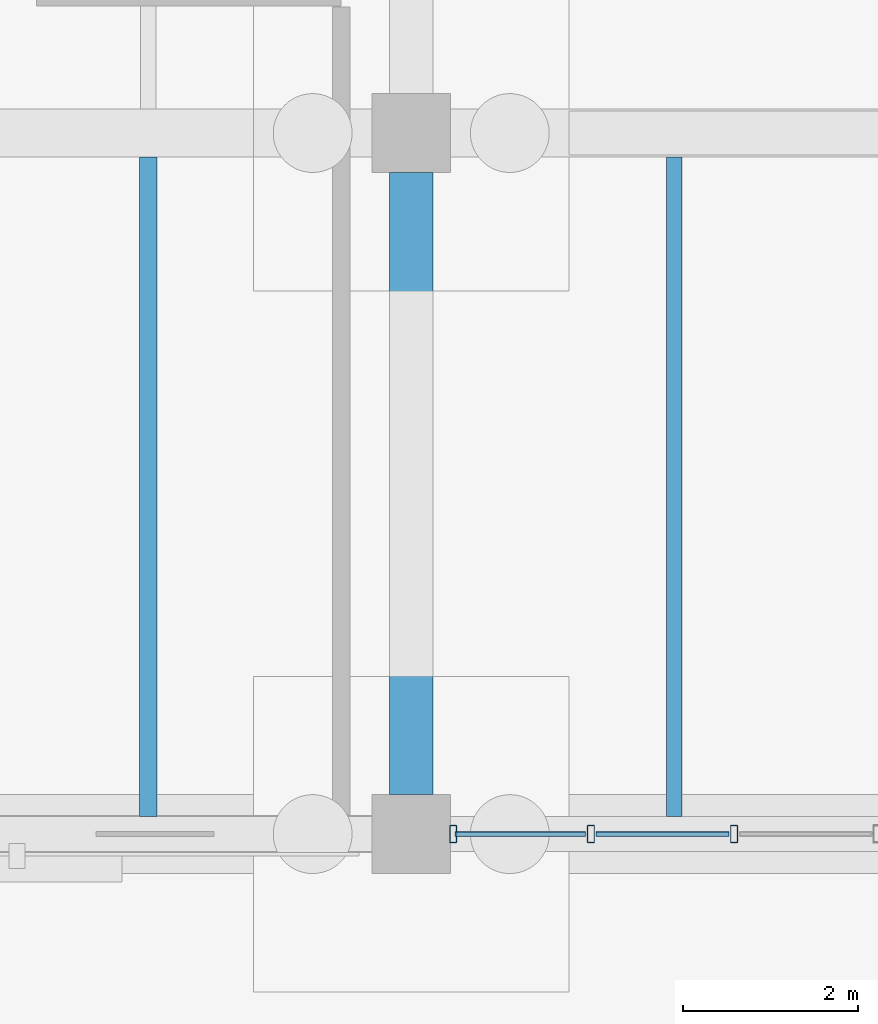
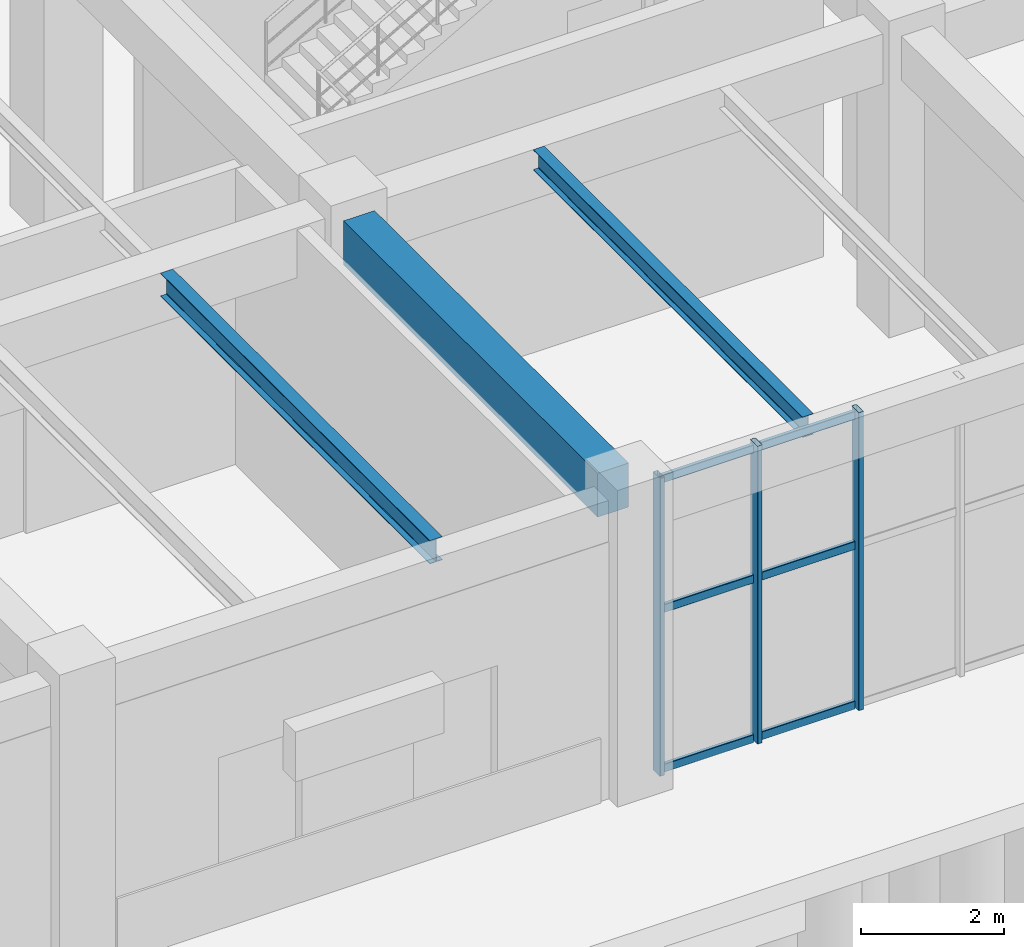
# One storey, part 56 of 121: 9 members, 3 beams, 1 element without a shape of its own.
"""IFC4 building model written with IfcOpenShell, lengths in metres."""

from ifc_helpers import new_model, si_unit, derived_unit, direction, frame, origin, origin_2d, place, context, subcontext, project, spatial, rectangle, hollow_rectangle, i_section, extrude, material, material_profile, profile_set, type_object, element, aggregate, save


model = new_model("IFC4")

# Units and contexts
model_context = context("Model", 3, precision=1e-05, world=origin(), true_north=direction((0.0, 1.0)))
body_context = subcontext(model_context, "Body", "Model", "MODEL_VIEW")
ifc_project = project(units=[si_unit("LENGTHUNIT", "METRE"), si_unit("AREAUNIT", "SQUARE_METRE"), si_unit("VOLUMEUNIT", "CUBIC_METRE"), si_unit("PLANEANGLEUNIT", "RADIAN"), si_unit("MASSUNIT", "GRAM", prefix="KILO"), derived_unit("THERMALTRANSMITTANCEUNIT", [(si_unit("MASSUNIT", "GRAM", prefix="KILO"), 1), (si_unit("TIMEUNIT", "SECOND"), -3), (si_unit("THERMODYNAMICTEMPERATUREUNIT", "KELVIN"), -1)])], contexts=[model_context])

# Site, building, storey
site_placement = place(None, origin())
site = spatial("IfcSite", under=ifc_project, at=site_placement, CompositionType="ELEMENT")
building_placement = place(site_placement, origin())
building = spatial("IfcBuilding", under=site, at=building_placement, Name="Zhenchuan Archway Interchange", CompositionType="ELEMENT")
storey_placement = place(building_placement, origin())
storey = spatial("IfcBuildingStorey", under=building, at=storey_placement, Name="L00", CompositionType="ELEMENT", Elevation=0.0)

# Beam
ifc_material_1 = material(Name="Concrete C40", Category="concrete")
ifc_material_profile_1 = material_profile(ifc_material_1, rectangle(XDim=0.5, YDim=0.75, at=origin_2d()), Name="RC 500x750")
ifc_profile_set_1 = profile_set([ifc_material_profile_1], Name="Concrete C40")
beam_type_1 = type_object("IfcBeamType", Name="BM_RC_500x750", PredefinedType="BEAM", material=ifc_profile_set_1)
beam_1_placement = place(storey_placement, frame((153.0, 8.449951171875, 4.705078125), z_axis=(0.0, 1.0, 0.0), x_axis=(-1.0, 0.0, 0.0)))
element("IfcBeam", 1, at=beam_1_placement, inside=storey, type_object=beam_type_1, Name="Beam 18:B-C (L00)", PredefinedType="BEAM", context=body_context, shape_type="SweptSolid", body=[
    extrude(rectangle(XDim=0.5, YDim=0.75, at=origin_2d()), origin(), (0.0, 0.0, 1.0), 7.10009765625),
])

# Curtain wall, members
ifc_material_2 = material(Name="Anodised Aluminium", Category="aluminium")
curtain_wall_type = type_object("IfcCurtainWallType", Name="CW_UNIT_1", PredefinedType="NOTDEFINED", material=ifc_material_2)
curtain_wall_placement = place(storey_placement, origin())
curtain_wall = element("IfcCurtainWall", 2, at=curtain_wall_placement, inside=storey, type_object=curtain_wall_type, Name="Unitised curtain wall CW:L00:016", PredefinedType="NOTDEFINED")
ifc_material_profile_2 = material_profile(ifc_material_2, hollow_rectangle(XDim=0.080078125, YDim=0.199951171875, WallThickness=0.00439453125, InnerFilletRadius=0.00439453125, OuterFilletRadius=0.009033203125, at=origin_2d()), Name="ALU 200x80x4.5")
ifc_profile_set_2 = profile_set([ifc_material_profile_2], Name="Anodised Aluminium")
member_type_1 = type_object("IfcMemberType", Name="CW_MUL_200", PredefinedType="MULLION", material=ifc_profile_set_2)
member_1_placement = place(storey_placement, frame((156.68359375, 8.0, 0.0), z_axis=(0.0, 0.0, 1.0), x_axis=(1.0, 0.0, 0.0)))
member_1 = element("IfcMember", 3, at=member_1_placement, type_object=member_type_1, Name="CW:L00:016 mullion 3", PredefinedType="MULLION", context=body_context, shape_type="SweptSolid", body=[
    extrude(hollow_rectangle(XDim=0.080078125, YDim=0.199951171875, WallThickness=0.00439453125, InnerFilletRadius=0.00439453125, OuterFilletRadius=0.009033203125, at=origin_2d()), origin(), (0.0, 0.0, 1.0), 5.080078125),
])
member_2_placement = place(storey_placement, frame((155.05078125, 8.0, 0.0), z_axis=(0.0, 0.0, 1.0), x_axis=(1.0, 0.0, 0.0)))
member_2 = element("IfcMember", 4, at=member_2_placement, type_object=member_type_1, Name="CW:L00:016 mullion 4", PredefinedType="MULLION", context=body_context, shape_type="SweptSolid", body=[
    extrude(hollow_rectangle(XDim=0.080078125, YDim=0.199951171875, WallThickness=0.00439453125, InnerFilletRadius=0.00439453125, OuterFilletRadius=0.009033203125, at=origin_2d()), origin(), (0.0, 0.0, 1.0), 5.080078125),
])
member_3_placement = place(storey_placement, frame((153.47802734375, 8.0, 0.0), z_axis=(0.0, 0.0, 1.0), x_axis=(1.0, 0.0, 0.0)))
member_3 = element("IfcMember", 5, at=member_3_placement, type_object=member_type_1, Name="CW:L00:016 mullion 5", PredefinedType="MULLION", context=body_context, shape_type="SweptSolid", body=[
    extrude(hollow_rectangle(XDim=0.080078125, YDim=0.199951171875, WallThickness=0.00439453125, InnerFilletRadius=0.00439453125, OuterFilletRadius=0.009033203125, at=origin_2d()), origin(), (0.0, 0.0, 1.0), 5.080078125),
])
ifc_material_profile_3 = material_profile(ifc_material_2, hollow_rectangle(XDim=0.06005859375, YDim=0.139892578125, WallThickness=0.00341796875, InnerFilletRadius=0.00341796875, OuterFilletRadius=0.007080078125, at=origin_2d()), Name="ALU 140x60x3.5")
ifc_profile_set_3 = profile_set([ifc_material_profile_3], Name="Anodised Aluminium")
member_type_2 = type_object("IfcMemberType", Name="CW_TRN_140", PredefinedType="USERDEFINED", material=ifc_profile_set_3)
member_4_placement = place(storey_placement, frame((156.62353515625, 8.0, 0.06005859375), z_axis=(-1.0, 0.0, 0.0), x_axis=(0.0, -1.0, 0.0)))
member_4 = element("IfcMember", 6, at=member_4_placement, type_object=member_type_2, Name="CW:L00:016 transom 3-1", ObjectType="TRANSOM", PredefinedType="USERDEFINED", context=body_context, shape_type="SweptSolid", body=[
    extrude(hollow_rectangle(XDim=0.06005859375, YDim=0.139892578125, WallThickness=0.00341796875, InnerFilletRadius=0.00341796875, OuterFilletRadius=0.007080078125, at=origin_2d()), origin(), (0.0, 0.0, 1.0), 1.5126953125),
])
member_5_placement = place(storey_placement, frame((156.62353515625, 8.0, 2.782958984375), z_axis=(-1.0, 0.0, 0.0), x_axis=(0.0, -1.0, 0.0)))
member_5 = element("IfcMember", 7, at=member_5_placement, type_object=member_type_2, Name="CW:L00:016 transom 3-2", ObjectType="TRANSOM", PredefinedType="USERDEFINED", context=body_context, shape_type="SweptSolid", body=[
    extrude(hollow_rectangle(XDim=0.06005859375, YDim=0.139892578125, WallThickness=0.00341796875, InnerFilletRadius=0.00341796875, OuterFilletRadius=0.007080078125, at=origin_2d()), origin(), (0.0, 0.0, 1.0), 1.5126953125),
])
member_6_placement = place(storey_placement, frame((156.62353515625, 8.0, 5.0), z_axis=(-1.0, 0.0, 0.0), x_axis=(0.0, -1.0, 0.0)))
member_6 = element("IfcMember", 8, at=member_6_placement, type_object=member_type_2, Name="CW:L00:016 transom 3-3", ObjectType="TRANSOM", PredefinedType="USERDEFINED", context=body_context, shape_type="SweptSolid", body=[
    extrude(hollow_rectangle(XDim=0.06005859375, YDim=0.139892578125, WallThickness=0.00341796875, InnerFilletRadius=0.00341796875, OuterFilletRadius=0.007080078125, at=origin_2d()), origin(), (0.0, 0.0, 1.0), 1.5126953125),
])
member_7_placement = place(storey_placement, frame((154.99072265625, 8.0, 0.06005859375), z_axis=(-1.0, 0.0, 0.0), x_axis=(0.0, -1.0, 0.0)))
member_7 = element("IfcMember", 9, at=member_7_placement, type_object=member_type_2, Name="CW:L00:016 transom 4-1", ObjectType="TRANSOM", PredefinedType="USERDEFINED", context=body_context, shape_type="SweptSolid", body=[
    extrude(hollow_rectangle(XDim=0.06005859375, YDim=0.139892578125, WallThickness=0.00341796875, InnerFilletRadius=0.00341796875, OuterFilletRadius=0.007080078125, at=origin_2d()), origin(), (0.0, 0.0, 1.0), 1.49267578125),
])
member_8_placement = place(storey_placement, frame((154.99072265625, 8.0, 2.782958984375), z_axis=(-1.0, 0.0, 0.0), x_axis=(0.0, -1.0, 0.0)))
member_8 = element("IfcMember", 10, at=member_8_placement, type_object=member_type_2, Name="CW:L00:016 transom 4-2", ObjectType="TRANSOM", PredefinedType="USERDEFINED", context=body_context, shape_type="SweptSolid", body=[
    extrude(hollow_rectangle(XDim=0.06005859375, YDim=0.139892578125, WallThickness=0.00341796875, InnerFilletRadius=0.00341796875, OuterFilletRadius=0.007080078125, at=origin_2d()), origin(), (0.0, 0.0, 1.0), 1.49267578125),
])
member_9_placement = place(storey_placement, frame((154.99072265625, 8.0, 5.0), z_axis=(-1.0, 0.0, 0.0), x_axis=(0.0, -1.0, 0.0)))
member_9 = element("IfcMember", 11, at=member_9_placement, type_object=member_type_2, Name="CW:L00:016 transom 4-3", ObjectType="TRANSOM", PredefinedType="USERDEFINED", context=body_context, shape_type="SweptSolid", body=[
    extrude(hollow_rectangle(XDim=0.06005859375, YDim=0.139892578125, WallThickness=0.00341796875, InnerFilletRadius=0.00341796875, OuterFilletRadius=0.007080078125, at=origin_2d()), origin(), (0.0, 0.0, 1.0), 1.49267578125),
])
aggregate(curtain_wall, [member_1, member_2, member_3, member_4, member_5, member_6, member_7, member_8, member_9])

# Beams
ifc_material_3 = material(Name="Steel Q355", Category="steel")
ifc_material_profile_4 = material_profile(ifc_material_3, i_section(OverallWidth=0.175048828125, OverallDepth=0.35009765625, WebThickness=0.007080078125, FlangeThickness=0.010986328125, FilletRadius=0.013916015625, at=origin_2d()), Name="HN 350x175")
ifc_profile_set_4 = profile_set([ifc_material_profile_4], Name="Steel Q355")
beam_type_2 = type_object("IfcBeamType", Name="JST_STL_HN350", PredefinedType="JOIST", material=ifc_profile_set_4)
beam_2_placement = place(storey_placement, frame((156.0, 8.199951171875, 4.905029296875), z_axis=(0.0, 1.0, 0.0), x_axis=(-1.0, 0.0, 0.0)))
element("IfcBeam", 12, at=beam_2_placement, inside=storey, type_object=beam_type_2, Name="Secondary joist 18-19/B-C #1 (L00)", PredefinedType="JOIST", context=body_context, shape_type="SweptSolid", body=[
    extrude(i_section(OverallWidth=0.175048828125, OverallDepth=0.35009765625, WebThickness=0.007080078125, FlangeThickness=0.010986328125, FilletRadius=0.013916015625, at=origin_2d()), origin(), (0.0, 0.0, 1.0), 7.525146484375),
])
ifc_material_profile_5 = material_profile(ifc_material_3, i_section(OverallWidth=0.199951171875, OverallDepth=0.39990234375, WebThickness=0.008056640625, FlangeThickness=0.012939453125, FilletRadius=0.01611328125, at=origin_2d()), Name="HN 400x200")
ifc_profile_set_5 = profile_set([ifc_material_profile_5], Name="Steel Q355")
beam_type_3 = type_object("IfcBeamType", Name="JST_STL_HN400", PredefinedType="JOIST", material=ifc_profile_set_5)
beam_3_placement = place(storey_placement, frame((150.0, 8.199951171875, 4.8798828125), z_axis=(0.0, 1.0, 0.0), x_axis=(-1.0, 0.0, 0.0)))
element("IfcBeam", 13, at=beam_3_placement, inside=storey, type_object=beam_type_3, Name="Secondary joist 17-18/B-C #2 (L00)", PredefinedType="JOIST", context=body_context, shape_type="SweptSolid", body=[
    extrude(i_section(OverallWidth=0.199951171875, OverallDepth=0.39990234375, WebThickness=0.008056640625, FlangeThickness=0.012939453125, FilletRadius=0.01611328125, at=origin_2d()), origin(), (0.0, 0.0, 1.0), 7.525146484375),
])

save(model, "model.ifc")
